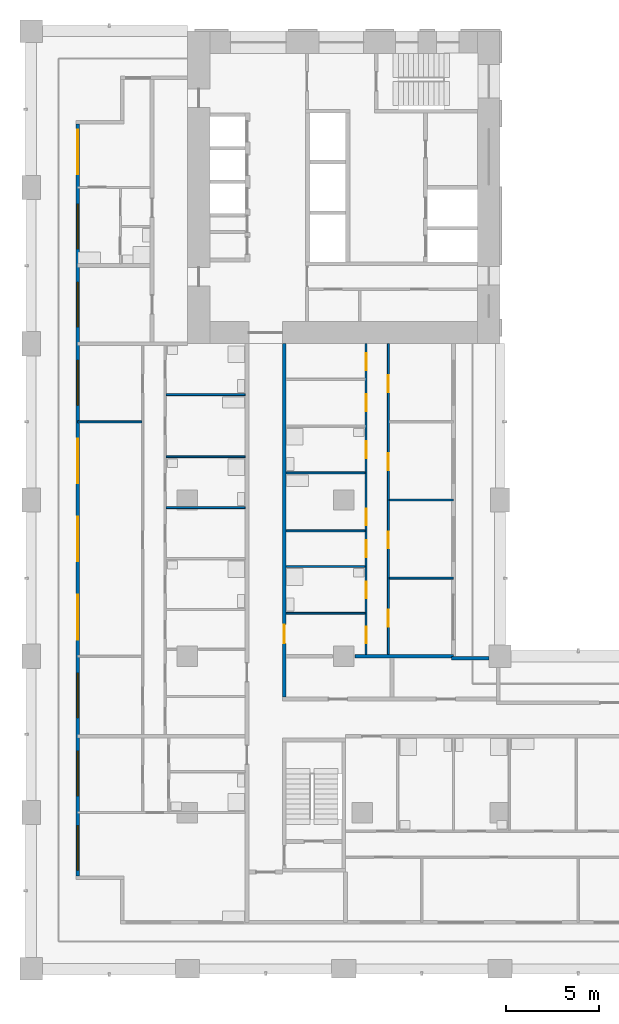
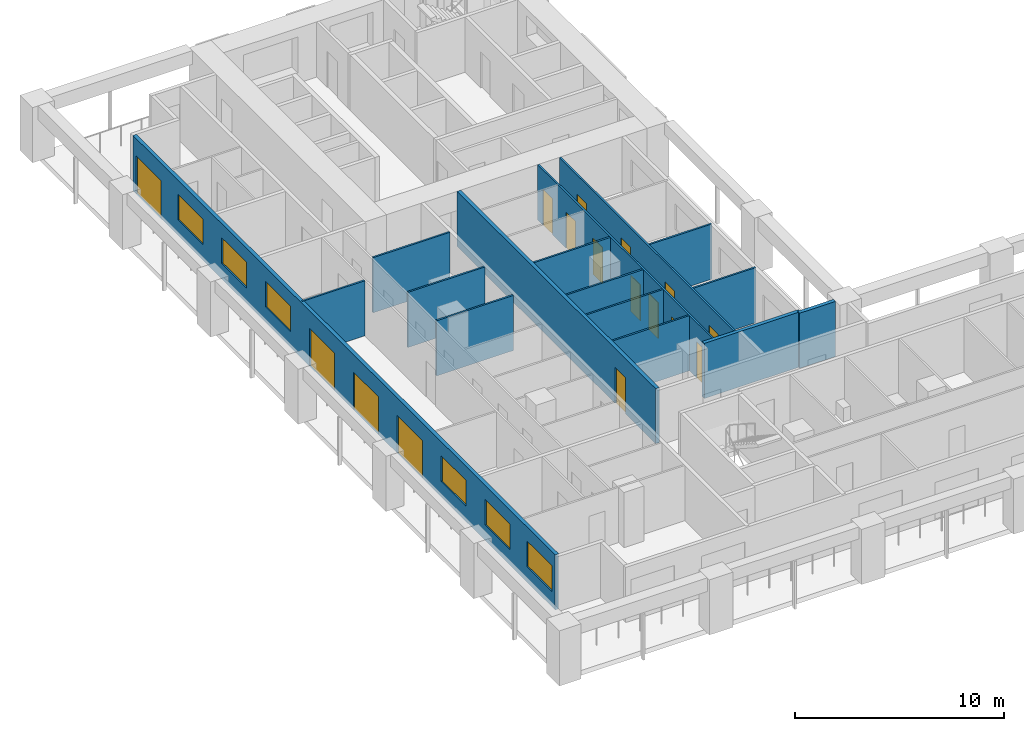
# One storey, part 4 of 16: 16 doors, 16 walls, 6 windows, 22 openings.
"""IFC4 building model written with IfcOpenShell, lengths in metres."""

import ifcopenshell
import ifcopenshell.guid

model = None  # the IFC model being written
_history = None  # IfcOwnerHistory: only IFC2X3 demands one
_inside = {}  # id of a spatial element -> (the spatial element, [elements in it])
_under = {}  # id of a project, library or spatial element -> (it, [spatial elements below it])
_declared = {}  # id of a project -> (the project, [libraries it declares])
_typed = {}  # id of a type object -> (the type object, [elements of that type])
_made_of = {}  # id of a material, layer set ... -> (it, [elements and type objects made of it])


def new_model(schema):
    """Start an empty IFC model of exactly this schema.

    Asked for "IFC4X3", IfcOpenShell would pick the latest addendum, in which some entities
    have other attributes; the version numbers below select the first issue.
    IFC2X3 requires an IfcOwnerHistory on every rooted entity: one is made here for all.
    """
    global model, _history
    if schema == "IFC4X3":
        model = ifcopenshell.file(schema_version=(4, 3, 0, 0))
    else:
        model = ifcopenshell.file(schema=schema)
    _inside.clear()
    _under.clear()
    _declared.clear()
    _typed.clear()
    _made_of.clear()
    _history = None
    if model.schema == "IFC2X3":
        org = make("IfcOrganization", Name="unknown")
        user = make(
            "IfcPersonAndOrganization",
            ThePerson=make("IfcPerson", FamilyName="unknown"),
            TheOrganization=org,
        )
        app = make(
            "IfcApplication",
            ApplicationDeveloper=org,
            Version="unknown",
            ApplicationFullName="unknown",
            ApplicationIdentifier="unknown",
        )
        _history = make(
            "IfcOwnerHistory",
            OwningUser=user,
            OwningApplication=app,
            ChangeAction="ADDED",
            CreationDate=0,
        )
    return model


def make(cls, **values):
    """One entity of the class cls with the attributes given. An attribute that is None is left unset."""
    return model.create_entity(
        cls, **{name: value for name, value in values.items() if value is not None}
    )


def rooted(cls, **values):
    """An entity with a GlobalId (a new one), such as an element, a storey or a relation."""
    return make(cls, GlobalId=ifcopenshell.guid.new(), OwnerHistory=_history, **values)


def si_unit(unit_type, name, prefix=None):
    """IfcSIUnit, for example si_unit("LENGTHUNIT", "METRE", prefix="MILLI")."""
    return make("IfcSIUnit", UnitType=unit_type, Prefix=prefix, Name=name)


def assignment(units):
    """IfcUnitAssignment: the units of a project."""
    return None if units is None else make("IfcUnitAssignment", Units=units)


def point(xyz):
    """IfcCartesianPoint."""
    return None if xyz is None else make("IfcCartesianPoint", Coordinates=xyz)


def direction(xyz):
    """IfcDirection."""
    return None if xyz is None else make("IfcDirection", DirectionRatios=xyz)


def frame(location, z_axis=None, x_axis=None):
    """IfcAxis2Placement3D, a coordinate frame: its origin and axes. An axis left out is left unset."""
    return make(
        "IfcAxis2Placement3D",
        Location=point(location),
        Axis=direction(z_axis),
        RefDirection=direction(x_axis),
    )


def frame_2d(location, x_axis=None):
    """IfcAxis2Placement2D, a coordinate frame in the plane: its origin and x axis."""
    return make(
        "IfcAxis2Placement2D", Location=point(location), RefDirection=direction(x_axis)
    )


def origin():
    """The frame at (0, 0, 0) with its axes left unset."""
    return frame((0.0, 0.0, 0.0))


def place(relative_to, where):
    """IfcLocalPlacement: puts the frame where relative to a parent placement (None: the world)."""
    return make(
        "IfcLocalPlacement", PlacementRelTo=relative_to, RelativePlacement=where
    )


def context(
    kind, dimensions, precision=None, world=None, true_north=None, identifier=None
):
    """IfcGeometricRepresentationContext, for example the 3D "Model" context."""
    return make(
        "IfcGeometricRepresentationContext",
        ContextIdentifier=identifier,
        ContextType=kind,
        CoordinateSpaceDimension=dimensions,
        Precision=precision,
        WorldCoordinateSystem=world,
        TrueNorth=true_north,
    )


def subcontext(parent, identifier, kind, view, scale=None):
    """IfcGeometricRepresentationSubContext, for example "Body" below "Model"."""
    return make(
        "IfcGeometricRepresentationSubContext",
        ContextIdentifier=identifier,
        ContextType=kind,
        ParentContext=parent,
        TargetScale=scale,
        TargetView=view,
    )


def project(units=None, contexts=None):
    """IfcProject with its units and contexts."""
    return rooted(
        "IfcProject",
        Name="project",
        RepresentationContexts=contexts,
        UnitsInContext=assignment(units),
    )


def spatial(cls, under=None, at=None, **own):
    """A site, building, storey or space (cls), placed at a placement, below another one or the project."""
    s = rooted(cls, ObjectPlacement=at, **own)
    if under is not None:
        _under.setdefault(under.id(), (under, []))[1].append(s)
    return s


def profile(cls, at=None, kind="AREA", **sizes):
    """A parametric profile (cls). Its sizes go by their IFC names, for example OverallWidth=200.0."""
    return make(cls, ProfileType=kind, Position=at, **sizes)


def rectangle(**sizes):
    """IfcRectangleProfileDef."""
    return profile("IfcRectangleProfileDef", **sizes)


def extrude(swept, where, along, depth):
    """IfcExtrudedAreaSolid: the profile swept, set in the frame where, extruded along a direction by depth."""
    return make(
        "IfcExtrudedAreaSolid",
        SweptArea=swept,
        Position=where,
        ExtrudedDirection=direction(along),
        Depth=depth,
    )


def shape(context_of_items, identifier, shape_type, items):
    """IfcShapeRepresentation: the items that make up one representation, for example the "Body"."""
    return make(
        "IfcShapeRepresentation",
        ContextOfItems=context_of_items,
        RepresentationIdentifier=identifier,
        RepresentationType=shape_type,
        Items=items,
    )


def material(Name=None, Category=None):
    """IfcMaterial."""
    return make("IfcMaterial", Name=Name, Category=Category)


def layer(
    of_material, thickness, ventilated=None, Name=None, Category=None, Priority=None
):
    """IfcMaterialLayer: one layer of a wall or slab, of a material (None: an air gap)."""
    return make(
        "IfcMaterialLayer",
        Material=of_material,
        LayerThickness=thickness,
        IsVentilated=ventilated,
        Name=Name,
        Category=Category,
        Priority=Priority,
    )


def layer_set(layers, Name=None):
    """IfcMaterialLayerSet."""
    return make("IfcMaterialLayerSet", MaterialLayers=layers, LayerSetName=Name)


def made_of(thing, what):
    """Note that an element or type object is made of a material, layer set ...; save() writes the relation."""
    if what is not None:
        _made_of.setdefault(what.id(), (what, []))[1].append(thing)
    return thing


def type_object(cls, material=None, **own):
    """A type object (cls), such as IfcWallType, which elements share."""
    return made_of(rooted(cls, **own), material)


def element(
    cls,
    number,
    at=None,
    inside=None,
    cuts=None,
    type_object=None,
    material=None,
    context=None,
    identifier="Body",
    shape_type=None,
    held_by="IfcProductDefinitionShape",
    body=None,
    shapes=None,
    **own,
):
    """One element of the class cls, such as IfcWall. Its Tag is "e" and its number.

    at: its placement. inside: the storey or other place that contains it. cuts: it is an
    opening in that element (IfcRelVoidsElement). A single representation is given by context,
    identifier, shape_type and body (its items); several are given by shapes. held_by: the class
    of the entity that holds the representations. save() writes the other relations.
    """
    e = rooted(cls, Tag="e%d" % number, ObjectPlacement=at, **own)
    if body is not None:
        shapes = [shape(context, identifier, shape_type, body)]
    if shapes is not None:
        e.Representation = make(held_by, Representations=shapes)
    if inside is not None:
        _inside.setdefault(inside.id(), (inside, []))[1].append(e)
    if cuts is not None:
        rooted(
            "IfcRelVoidsElement", RelatingBuildingElement=cuts, RelatedOpeningElement=e
        )
    if type_object is not None:
        _typed.setdefault(type_object.id(), (type_object, []))[1].append(e)
    return made_of(e, material)


def fill(opening, filler):
    """IfcRelFillsElement: the door or window that sits in an opening."""
    return rooted(
        "IfcRelFillsElement",
        RelatingOpeningElement=opening,
        RelatedBuildingElement=filler,
    )


def aggregate(whole, parts):
    """IfcRelAggregates: a whole, such as a stair, and the parts it consists of."""
    return rooted("IfcRelAggregates", RelatingObject=whole, RelatedObjects=parts)


def save(model, path):
    """Write the relations noted so far, then the file.

    IfcRelAggregates (storeys below a building ...), IfcRelContainedInSpatialStructure (elements
    in a storey), IfcRelDefinesByType, IfcRelAssociatesMaterial and IfcRelDeclares: one each for
    every whole, place, type object, material and project.
    """
    for whole, parts in _under.values():
        aggregate(whole, parts)
    for where, things in _inside.values():
        rooted(
            "IfcRelContainedInSpatialStructure",
            RelatedElements=things,
            RelatingStructure=where,
        )
    for kind, things in _typed.values():
        rooted("IfcRelDefinesByType", RelatedObjects=things, RelatingType=kind)
    for what, things in _made_of.values():
        rooted("IfcRelAssociatesMaterial", RelatedObjects=things, RelatingMaterial=what)
    for by, libraries in _declared.values():
        rooted("IfcRelDeclares", RelatingContext=by, RelatedDefinitions=libraries)
    model.write(path)


model = new_model("IFC4")

# Units and contexts
model_context = context("Model", 3, precision=1e-05, world=origin(), true_north=direction((0.0, 1.0)))
body_context = subcontext(model_context, "Body", "Model", "MODEL_VIEW")
ifc_project = project(units=[si_unit("LENGTHUNIT", "METRE"), si_unit("AREAUNIT", "SQUARE_METRE"), si_unit("VOLUMEUNIT", "CUBIC_METRE"), si_unit("PLANEANGLEUNIT", "RADIAN"), si_unit("MASSUNIT", "GRAM", prefix="KILO")], contexts=[model_context])

# Site, building, storey
site_placement = place(None, origin())
site = spatial("IfcSite", under=ifc_project, at=site_placement, CompositionType="ELEMENT")
building_placement = place(site_placement, origin())
building = spatial("IfcBuilding", under=site, at=building_placement, Name="Vermilion Gate Residences", CompositionType="ELEMENT")
storey_placement = place(building_placement, frame((0.0, 0.0, 130.199951171875)))
storey = spatial("IfcBuildingStorey", under=building, at=storey_placement, Name="L33", CompositionType="ELEMENT", Elevation=130.199951171875)

# Wall, openings, doors, windows
ifc_material_1 = material(Name="Insulated steel stud wall with terracotta rainscreen", Category="masonry")
ifc_layer_1 = layer(ifc_material_1, 0.199951171875)
ifc_layer_set_1 = layer_set([ifc_layer_1], Name="EXTERNAL WALL 200 TERRACOTTA RAINSCREEN")
wall_type_1 = type_object("IfcWallType", Name="EXTERNAL WALL 200 TERRACOTTA RAINSCREEN", PredefinedType="SOLIDWALL", material=ifc_layer_set_1)
wall_1_placement = place(storey_placement, frame((2.5, 53.800048828125, 0.0), z_axis=(0.0, 0.0, 1.0), x_axis=(0.0, -1.0, 0.0)))
wall_1 = element("IfcWall", 1, at=wall_1_placement, inside=storey, type_object=wall_type_1, Name="External wall", PredefinedType="SOLIDWALL", context=body_context, shape_type="SweptSolid", body=[
    extrude(rectangle(XDim=40.400146484375, YDim=0.199951171875, at=frame_2d((20.2001953125, 0.0))), origin(), (0.0, 0.0, 1.0), 3.219970703125),
])
opening_1_placement = place(wall_1_placement, frame((37.699951171875, 0.0, 0.89990234375)))
opening_1 = element("IfcOpeningElement", 2, at=opening_1_placement, cuts=wall_1, Name="Opening WE33002", PredefinedType="OPENING", context=body_context, shape_type="SweptSolid", body=[
    extrude(rectangle(XDim=2.39990234375, YDim=1.5, at=frame_2d((1.199951171875, 0.75))), frame((0.0, 0.10986328125, 0.0), z_axis=(0.0, -1.0, 0.0), x_axis=(1.0, 0.0, 0.0)), (0.0, 0.0, 1.0), 0.219970703125),
])
opening_2_placement = place(wall_1_placement, frame((33.699951171875, 0.0, 0.89990234375)))
opening_2 = element("IfcOpeningElement", 3, at=opening_2_placement, cuts=wall_1, Name="Opening WE33003", PredefinedType="OPENING", context=body_context, shape_type="SweptSolid", body=[
    extrude(rectangle(XDim=2.39990234375, YDim=1.5, at=frame_2d((1.199951171875, 0.75))), frame((0.0, 0.10986328125, 0.0), z_axis=(0.0, -1.0, 0.0), x_axis=(1.0, 0.0, 0.0)), (0.0, 0.0, 1.0), 0.219970703125),
])
opening_3_placement = place(wall_1_placement, frame((29.5, 0.0, 0.89990234375)))
opening_3 = element("IfcOpeningElement", 4, at=opening_3_placement, cuts=wall_1, Name="Opening WE33004", PredefinedType="OPENING", context=body_context, shape_type="SweptSolid", body=[
    extrude(rectangle(XDim=2.39990234375, YDim=1.5, at=frame_2d((1.199951171875, 0.75))), frame((0.0, 0.10986328125, 0.0), z_axis=(0.0, -1.0, 0.0), x_axis=(1.0, 0.0, 0.0)), (0.0, 0.0, 1.0), 0.219970703125),
])
opening_4_placement = place(wall_1_placement, frame((25.300048828125, 0.0, 0.0)))
opening_4 = element("IfcOpeningElement", 5, at=opening_4_placement, cuts=wall_1, Name="Opening DE33005", PredefinedType="OPENING", context=body_context, shape_type="SweptSolid", body=[
    extrude(rectangle(XDim=2.39990234375, YDim=2.199951171875, at=frame_2d((1.199951171875, 1.10009765625))), frame((0.0, 0.10986328125, 0.0), z_axis=(0.0, -1.0, 0.0), x_axis=(1.0, 0.0, 0.0)), (0.0, 0.0, 1.0), 0.219970703125),
])
opening_5_placement = place(wall_1_placement, frame((21.10009765625, 0.0, 0.0)))
opening_5 = element("IfcOpeningElement", 6, at=opening_5_placement, cuts=wall_1, Name="Opening DE33006", PredefinedType="OPENING", context=body_context, shape_type="SweptSolid", body=[
    extrude(rectangle(XDim=2.39990234375, YDim=2.199951171875, at=frame_2d((1.199951171875, 1.10009765625))), frame((0.0, 0.10986328125, 0.0), z_axis=(0.0, -1.0, 0.0), x_axis=(1.0, 0.0, 0.0)), (0.0, 0.0, 1.0), 0.219970703125),
])
opening_6_placement = place(wall_1_placement, frame((16.89990234375, 0.0, 0.0)))
opening_6 = element("IfcOpeningElement", 7, at=opening_6_placement, cuts=wall_1, Name="Opening DE33007", PredefinedType="OPENING", context=body_context, shape_type="SweptSolid", body=[
    extrude(rectangle(XDim=2.39990234375, YDim=2.199951171875, at=frame_2d((1.199951171875, 1.10009765625))), frame((0.0, 0.10986328125, 0.0), z_axis=(0.0, -1.0, 0.0), x_axis=(1.0, 0.0, 0.0)), (0.0, 0.0, 1.0), 0.219970703125),
])
opening_7_placement = place(wall_1_placement, frame((12.699951171875, 0.0, 0.89990234375)))
opening_7 = element("IfcOpeningElement", 8, at=opening_7_placement, cuts=wall_1, Name="Opening WE33008", PredefinedType="OPENING", context=body_context, shape_type="SweptSolid", body=[
    extrude(rectangle(XDim=2.39990234375, YDim=1.5, at=frame_2d((1.199951171875, 0.75))), frame((0.0, 0.10986328125, 0.0), z_axis=(0.0, -1.0, 0.0), x_axis=(1.0, 0.0, 0.0)), (0.0, 0.0, 1.0), 0.219970703125),
])
opening_8_placement = place(wall_1_placement, frame((8.5, 0.0, 0.89990234375)))
opening_8 = element("IfcOpeningElement", 9, at=opening_8_placement, cuts=wall_1, Name="Opening WE33009", PredefinedType="OPENING", context=body_context, shape_type="SweptSolid", body=[
    extrude(rectangle(XDim=2.39990234375, YDim=1.5, at=frame_2d((1.199951171875, 0.75))), frame((0.0, 0.10986328125, 0.0), z_axis=(0.0, -1.0, 0.0), x_axis=(1.0, 0.0, 0.0)), (0.0, 0.0, 1.0), 0.219970703125),
])
opening_9_placement = place(wall_1_placement, frame((4.300048828125, 0.0, 0.89990234375)))
opening_9 = element("IfcOpeningElement", 10, at=opening_9_placement, cuts=wall_1, Name="Opening WE33010", PredefinedType="OPENING", context=body_context, shape_type="SweptSolid", body=[
    extrude(rectangle(XDim=2.39990234375, YDim=1.5, at=frame_2d((1.199951171875, 0.75))), frame((0.0, 0.10986328125, 0.0), z_axis=(0.0, -1.0, 0.0), x_axis=(1.0, 0.0, 0.0)), (0.0, 0.0, 1.0), 0.219970703125),
])
opening_10_placement = place(wall_1_placement, frame((0.300048828125, 0.0, 0.0)))
opening_10 = element("IfcOpeningElement", 11, at=opening_10_placement, cuts=wall_1, Name="Opening DE33011", PredefinedType="OPENING", context=body_context, shape_type="SweptSolid", body=[
    extrude(rectangle(XDim=2.39990234375, YDim=2.199951171875, at=frame_2d((1.199951171875, 1.10009765625))), frame((0.0, 0.10986328125, 0.0), z_axis=(0.0, -1.0, 0.0), x_axis=(1.0, 0.0, 0.0)), (0.0, 0.0, 1.0), 0.219970703125),
])
ifc_material_2 = material(Name="Aluminium and clear glass", Category="aluminium")
door_type_1 = type_object("IfcDoorType", Name="SLIDING GLAZED DOOR 2400 X 2200", OperationType="DOUBLE_DOOR_SLIDING", PredefinedType="DOOR", material=ifc_material_2)
door_1_placement = place(opening_4_placement, origin())
door_1 = element("IfcDoor", 12, at=door_1_placement, inside=storey, type_object=door_type_1, Name="Loggia sliding door", OperationType="DOUBLE_DOOR_SLIDING", OverallHeight=2.199951171875, OverallWidth=2.39990234375, PredefinedType="DOOR", context=body_context, shape_type="SweptSolid", body=[
    extrude(rectangle(XDim=2.39990234375, YDim=2.199951171875, at=frame_2d((1.199951171875, 1.10009765625))), frame((0.0, 0.02490234375, 0.0), z_axis=(0.0, -1.0, 0.0), x_axis=(1.0, 0.0, 0.0)), (0.0, 0.0, 1.0), 0.050048828125),
])
fill(opening_4, door_1)
door_2_placement = place(opening_5_placement, origin())
door_2 = element("IfcDoor", 13, at=door_2_placement, inside=storey, type_object=door_type_1, Name="Loggia sliding door", OperationType="DOUBLE_DOOR_SLIDING", OverallHeight=2.199951171875, OverallWidth=2.39990234375, PredefinedType="DOOR", context=body_context, shape_type="SweptSolid", body=[
    extrude(rectangle(XDim=2.39990234375, YDim=2.199951171875, at=frame_2d((1.199951171875, 1.10009765625))), frame((0.0, 0.02490234375, 0.0), z_axis=(0.0, -1.0, 0.0), x_axis=(1.0, 0.0, 0.0)), (0.0, 0.0, 1.0), 0.050048828125),
])
fill(opening_5, door_2)
door_3_placement = place(opening_6_placement, origin())
door_3 = element("IfcDoor", 14, at=door_3_placement, inside=storey, type_object=door_type_1, Name="Loggia sliding door", OperationType="DOUBLE_DOOR_SLIDING", OverallHeight=2.199951171875, OverallWidth=2.39990234375, PredefinedType="DOOR", context=body_context, shape_type="SweptSolid", body=[
    extrude(rectangle(XDim=2.39990234375, YDim=2.199951171875, at=frame_2d((1.199951171875, 1.10009765625))), frame((0.0, 0.02490234375, 0.0), z_axis=(0.0, -1.0, 0.0), x_axis=(1.0, 0.0, 0.0)), (0.0, 0.0, 1.0), 0.050048828125),
])
fill(opening_6, door_3)
door_4_placement = place(opening_10_placement, origin())
door_4 = element("IfcDoor", 15, at=door_4_placement, inside=storey, type_object=door_type_1, Name="Loggia sliding door", OperationType="DOUBLE_DOOR_SLIDING", OverallHeight=2.199951171875, OverallWidth=2.39990234375, PredefinedType="DOOR", context=body_context, shape_type="SweptSolid", body=[
    extrude(rectangle(XDim=2.39990234375, YDim=2.199951171875, at=frame_2d((1.199951171875, 1.10009765625))), frame((0.0, 0.02490234375, 0.0), z_axis=(0.0, -1.0, 0.0), x_axis=(1.0, 0.0, 0.0)), (0.0, 0.0, 1.0), 0.050048828125),
])
fill(opening_10, door_4)
ifc_material_3 = material(Name="Aluminium and clear glass", Category="aluminium")
window_type = type_object("IfcWindowType", Name="WINDOW 2400 X 1500", PartitioningType="SINGLE_PANEL", PredefinedType="WINDOW", material=ifc_material_3)
window_1_placement = place(opening_1_placement, origin())
window_1 = element("IfcWindow", 16, at=window_1_placement, inside=storey, type_object=window_type, Name="Window", OverallHeight=1.5, OverallWidth=2.39990234375, PartitioningType="SINGLE_PANEL", PredefinedType="WINDOW", context=body_context, shape_type="SweptSolid", body=[
    extrude(rectangle(XDim=2.39990234375, YDim=1.5, at=frame_2d((1.199951171875, 0.75))), frame((0.0, 0.030029296875, 0.0), z_axis=(0.0, -1.0, 0.0), x_axis=(1.0, 0.0, 0.0)), (0.0, 0.0, 1.0), 0.06005859375),
])
fill(opening_1, window_1)
window_2_placement = place(opening_2_placement, origin())
window_2 = element("IfcWindow", 17, at=window_2_placement, inside=storey, type_object=window_type, Name="Window", OverallHeight=1.5, OverallWidth=2.39990234375, PartitioningType="SINGLE_PANEL", PredefinedType="WINDOW", context=body_context, shape_type="SweptSolid", body=[
    extrude(rectangle(XDim=2.39990234375, YDim=1.5, at=frame_2d((1.199951171875, 0.75))), frame((0.0, 0.030029296875, 0.0), z_axis=(0.0, -1.0, 0.0), x_axis=(1.0, 0.0, 0.0)), (0.0, 0.0, 1.0), 0.06005859375),
])
fill(opening_2, window_2)
window_3_placement = place(opening_3_placement, origin())
window_3 = element("IfcWindow", 18, at=window_3_placement, inside=storey, type_object=window_type, Name="Window", OverallHeight=1.5, OverallWidth=2.39990234375, PartitioningType="SINGLE_PANEL", PredefinedType="WINDOW", context=body_context, shape_type="SweptSolid", body=[
    extrude(rectangle(XDim=2.39990234375, YDim=1.5, at=frame_2d((1.199951171875, 0.75))), frame((0.0, 0.030029296875, 0.0), z_axis=(0.0, -1.0, 0.0), x_axis=(1.0, 0.0, 0.0)), (0.0, 0.0, 1.0), 0.06005859375),
])
fill(opening_3, window_3)
window_4_placement = place(opening_7_placement, origin())
window_4 = element("IfcWindow", 19, at=window_4_placement, inside=storey, type_object=window_type, Name="Window", OverallHeight=1.5, OverallWidth=2.39990234375, PartitioningType="SINGLE_PANEL", PredefinedType="WINDOW", context=body_context, shape_type="SweptSolid", body=[
    extrude(rectangle(XDim=2.39990234375, YDim=1.5, at=frame_2d((1.199951171875, 0.75))), frame((0.0, 0.030029296875, 0.0), z_axis=(0.0, -1.0, 0.0), x_axis=(1.0, 0.0, 0.0)), (0.0, 0.0, 1.0), 0.06005859375),
])
fill(opening_7, window_4)
window_5_placement = place(opening_8_placement, origin())
window_5 = element("IfcWindow", 20, at=window_5_placement, inside=storey, type_object=window_type, Name="Window", OverallHeight=1.5, OverallWidth=2.39990234375, PartitioningType="SINGLE_PANEL", PredefinedType="WINDOW", context=body_context, shape_type="SweptSolid", body=[
    extrude(rectangle(XDim=2.39990234375, YDim=1.5, at=frame_2d((1.199951171875, 0.75))), frame((0.0, 0.030029296875, 0.0), z_axis=(0.0, -1.0, 0.0), x_axis=(1.0, 0.0, 0.0)), (0.0, 0.0, 1.0), 0.06005859375),
])
fill(opening_8, window_5)
window_6_placement = place(opening_9_placement, origin())
window_6 = element("IfcWindow", 21, at=window_6_placement, inside=storey, type_object=window_type, Name="Window", OverallHeight=1.5, OverallWidth=2.39990234375, PartitioningType="SINGLE_PANEL", PredefinedType="WINDOW", context=body_context, shape_type="SweptSolid", body=[
    extrude(rectangle(XDim=2.39990234375, YDim=1.5, at=frame_2d((1.199951171875, 0.75))), frame((0.0, 0.030029296875, 0.0), z_axis=(0.0, -1.0, 0.0), x_axis=(1.0, 0.0, 0.0)), (0.0, 0.0, 1.0), 0.06005859375),
])
fill(opening_9, window_6)

# Walls
wall_2_placement = place(storey_placement, frame((24.60009765625, 25.10009765625, 0.0), z_axis=(0.0, 0.0, 1.0), x_axis=(-1.0, 0.0, 0.0)))
element("IfcWall", 22, at=wall_2_placement, inside=storey, type_object=wall_type_1, Name="External wall", PredefinedType="SOLIDWALL", context=body_context, shape_type="SweptSolid", body=[
    extrude(rectangle(XDim=2.0, YDim=0.199951171875, at=frame_2d((1.0, 0.0))), origin(), (0.0, 0.0, 1.0), 3.219970703125),
])
ifc_material_4 = material(Name="Plasterboard on steel studs", Category="steel")
ifc_layer_2 = layer(ifc_material_4, 0.10009765625)
ifc_layer_set_2 = layer_set([ifc_layer_2], Name="PARTITION 100")
wall_type_2 = type_object("IfcWallType", Name="PARTITION 100", PredefinedType="PARTITIONING", material=ifc_layer_set_2)
wall_3_placement = place(storey_placement, frame((13.699951171875, 27.513916015625, 0.0), z_axis=(0.0, 0.0, 1.0), x_axis=(1.0, 0.0, 0.0)))
element("IfcWall", 23, at=wall_3_placement, inside=storey, type_object=wall_type_2, Name="Partition", PredefinedType="PARTITIONING", context=body_context, shape_type="SweptSolid", body=[
    extrude(rectangle(XDim=4.25, YDim=0.10009765625, at=frame_2d((2.125, 0.0))), origin(), (0.0, 0.0, 1.0), 3.219970703125),
])
wall_4_placement = place(storey_placement, frame((19.25, 29.39990234375, 0.0), z_axis=(0.0, 0.0, 1.0), x_axis=(1.0, 0.0, 0.0)))
element("IfcWall", 24, at=wall_4_placement, inside=storey, type_object=wall_type_2, Name="Partition", PredefinedType="PARTITIONING", context=body_context, shape_type="SweptSolid", body=[
    extrude(rectangle(XDim=3.449951171875, YDim=0.10009765625, at=frame_2d((1.72509765625, 0.0))), origin(), (0.0, 0.0, 1.0), 3.219970703125),
])
for number, where, z_axis, x_axis, name in (
    (25, (13.699951171875, 30.029052734375, 0.0), (0.0, 0.0, 1.0), (1.0, 0.0, 0.0), "Partition"),
    (26, (13.699951171875, 31.943115234375, 0.0), (0.0, 0.0, 1.0), (1.0, 0.0, 0.0), "Partition"),
    (27, (7.25, 33.18798828125, 0.0), (0.0, 0.0, 1.0), (1.0, 0.0, 0.0), "Partition"),
):
    element("IfcWall", number, at=place(storey_placement, frame(where, z_axis=z_axis, x_axis=x_axis)), inside=storey, type_object=wall_type_2, Name=name, PredefinedType="PARTITIONING", context=body_context, shape_type="SweptSolid", body=[
        extrude(rectangle(XDim=4.25, YDim=0.10009765625, at=frame_2d((2.125, 0.0))), origin(), (0.0, 0.0, 1.0), 3.219970703125),
    ])
wall_5_placement = place(storey_placement, frame((19.25, 33.60009765625, 0.0), z_axis=(0.0, 0.0, 1.0), x_axis=(1.0, 0.0, 0.0)))
element("IfcWall", 28, at=wall_5_placement, inside=storey, type_object=wall_type_2, Name="Partition", PredefinedType="PARTITIONING", context=body_context, shape_type="SweptSolid", body=[
    extrude(rectangle(XDim=3.449951171875, YDim=0.10009765625, at=frame_2d((1.72509765625, 0.0))), origin(), (0.0, 0.0, 1.0), 3.219970703125),
])
for number, where, z_axis, x_axis, name in (
    (29, (13.699951171875, 35.056884765625, 0.0), (0.0, 0.0, 1.0), (1.0, 0.0, 0.0), "Partition"),
    (30, (7.25, 35.925048828125, 0.0), (0.0, 0.0, 1.0), (1.0, 0.0, 0.0), "Partition"),
):
    element("IfcWall", number, at=place(storey_placement, frame(where, z_axis=z_axis, x_axis=x_axis)), inside=storey, type_object=wall_type_2, Name=name, PredefinedType="PARTITIONING", context=body_context, shape_type="SweptSolid", body=[
        extrude(rectangle(XDim=4.25, YDim=0.10009765625, at=frame_2d((2.125, 0.0))), origin(), (0.0, 0.0, 1.0), 3.219970703125),
    ])
wall_6_placement = place(storey_placement, frame((2.5, 37.800048828125, 0.0), z_axis=(0.0, 0.0, 1.0), x_axis=(1.0, 0.0, 0.0)))
element("IfcWall", 31, at=wall_6_placement, inside=storey, type_object=wall_type_2, Name="Partition", PredefinedType="PARTITIONING", context=body_context, shape_type="SweptSolid", body=[
    extrude(rectangle(XDim=3.449951171875, YDim=0.10009765625, at=frame_2d((1.72509765625, 0.0))), origin(), (0.0, 0.0, 1.0), 3.219970703125),
])
wall_7_placement = place(storey_placement, frame((7.25, 39.262939453125, 0.0), z_axis=(0.0, 0.0, 1.0), x_axis=(1.0, 0.0, 0.0)))
element("IfcWall", 32, at=wall_7_placement, inside=storey, type_object=wall_type_2, Name="Partition", PredefinedType="PARTITIONING", context=body_context, shape_type="SweptSolid", body=[
    extrude(rectangle(XDim=4.25, YDim=0.10009765625, at=frame_2d((2.125, 0.0))), origin(), (0.0, 0.0, 1.0), 3.219970703125),
])

# Wall, openings, doors
wall_8_placement = place(storey_placement, frame((18.0, 25.300048828125, 0.0), z_axis=(0.0, 0.0, 1.0), x_axis=(0.0, 1.0, 0.0)))
wall_8 = element("IfcWall", 33, at=wall_8_placement, inside=storey, type_object=wall_type_2, Name="Partition", PredefinedType="PARTITIONING", context=body_context, shape_type="SweptSolid", body=[
    extrude(rectangle(XDim=16.699951171875, YDim=0.10009765625, at=frame_2d((8.35009765625, 0.0))), origin(), (0.0, 0.0, 1.0), 3.219970703125),
])
opening_11_placement = place(wall_8_placement, frame((0.60009765625, 0.0, 0.0)))
opening_11 = element("IfcOpeningElement", 34, at=opening_11_placement, cuts=wall_8, Name="Opening DA32039", PredefinedType="OPENING", context=body_context, shape_type="SweptSolid", body=[
    extrude(rectangle(XDim=0.89990234375, YDim=2.10009765625, at=frame_2d((0.449951171875, 1.050048828125))), frame((0.0, 0.06005859375, 0.0), z_axis=(0.0, -1.0, 0.0), x_axis=(1.0, 0.0, 0.0)), (0.0, 0.0, 1.0), 0.1201171875),
])
opening_12_placement = place(wall_8_placement, frame((3.013916015625, 0.0, 0.0)))
opening_12 = element("IfcOpeningElement", 35, at=opening_12_placement, cuts=wall_8, Name="Opening DA32040", PredefinedType="OPENING", context=body_context, shape_type="SweptSolid", body=[
    extrude(rectangle(XDim=0.89990234375, YDim=2.10009765625, at=frame_2d((0.449951171875, 1.050048828125))), frame((0.0, 0.06005859375, 0.0), z_axis=(0.0, -1.0, 0.0), x_axis=(1.0, 0.0, 0.0)), (0.0, 0.0, 1.0), 0.1201171875),
])
opening_13_placement = place(wall_8_placement, frame((5.22900390625, 0.0, 0.0)))
opening_13 = element("IfcOpeningElement", 36, at=opening_13_placement, cuts=wall_8, Name="Opening DA32041", PredefinedType="OPENING", context=body_context, shape_type="SweptSolid", body=[
    extrude(rectangle(XDim=0.89990234375, YDim=2.10009765625, at=frame_2d((0.449951171875, 1.050048828125))), frame((0.0, 0.06005859375, 0.0), z_axis=(0.0, -1.0, 0.0), x_axis=(1.0, 0.0, 0.0)), (0.0, 0.0, 1.0), 0.1201171875),
])
opening_14_placement = place(wall_8_placement, frame((6.943115234375, 0.0, 0.0)))
opening_14 = element("IfcOpeningElement", 37, at=opening_14_placement, cuts=wall_8, Name="Opening DA32042", PredefinedType="OPENING", context=body_context, shape_type="SweptSolid", body=[
    extrude(rectangle(XDim=0.89990234375, YDim=2.10009765625, at=frame_2d((0.449951171875, 1.050048828125))), frame((0.0, 0.06005859375, 0.0), z_axis=(0.0, -1.0, 0.0), x_axis=(1.0, 0.0, 0.0)), (0.0, 0.0, 1.0), 0.1201171875),
])
opening_15_placement = place(wall_8_placement, frame((10.556884765625, 0.0, 0.0)))
opening_15 = element("IfcOpeningElement", 38, at=opening_15_placement, cuts=wall_8, Name="Opening DA32043", PredefinedType="OPENING", context=body_context, shape_type="SweptSolid", body=[
    extrude(rectangle(XDim=0.89990234375, YDim=2.10009765625, at=frame_2d((0.449951171875, 1.050048828125))), frame((0.0, 0.06005859375, 0.0), z_axis=(0.0, -1.0, 0.0), x_axis=(1.0, 0.0, 0.0)), (0.0, 0.0, 1.0), 0.1201171875),
])
opening_16_placement = place(wall_8_placement, frame((13.072021484375, 0.0, 0.0)))
opening_16 = element("IfcOpeningElement", 39, at=opening_16_placement, cuts=wall_8, Name="Opening DA32044", PredefinedType="OPENING", context=body_context, shape_type="SweptSolid", body=[
    extrude(rectangle(XDim=0.89990234375, YDim=2.10009765625, at=frame_2d((0.449951171875, 1.050048828125))), frame((0.0, 0.06005859375, 0.0), z_axis=(0.0, -1.0, 0.0), x_axis=(1.0, 0.0, 0.0)), (0.0, 0.0, 1.0), 0.1201171875),
])
opening_17_placement = place(wall_8_placement, frame((15.285888671875, 0.0, 0.0)))
opening_17 = element("IfcOpeningElement", 40, at=opening_17_placement, cuts=wall_8, Name="Opening DA32045", PredefinedType="OPENING", context=body_context, shape_type="SweptSolid", body=[
    extrude(rectangle(XDim=0.89990234375, YDim=2.10009765625, at=frame_2d((0.449951171875, 1.050048828125))), frame((0.0, 0.06005859375, 0.0), z_axis=(0.0, -1.0, 0.0), x_axis=(1.0, 0.0, 0.0)), (0.0, 0.0, 1.0), 0.1201171875),
])
ifc_material_5 = material(Name="Timber", Category="wood")
door_type_2 = type_object("IfcDoorType", Name="INTERIOR DOOR 900 X 2100", OperationType="SINGLE_SWING_LEFT", PredefinedType="DOOR", material=ifc_material_5)
door_5_placement = place(opening_11_placement, origin())
door_5 = element("IfcDoor", 41, at=door_5_placement, inside=storey, type_object=door_type_2, Name="Interior door", OperationType="SINGLE_SWING_LEFT", OverallHeight=2.10009765625, OverallWidth=0.89990234375, PredefinedType="DOOR", context=body_context, shape_type="SweptSolid", body=[
    extrude(rectangle(XDim=0.89990234375, YDim=2.10009765625, at=frame_2d((0.449951171875, 1.050048828125))), frame((0.0, 0.02490234375, 0.0), z_axis=(0.0, -1.0, 0.0), x_axis=(1.0, 0.0, 0.0)), (0.0, 0.0, 1.0), 0.050048828125),
])
fill(opening_11, door_5)
door_6_placement = place(opening_12_placement, origin())
door_6 = element("IfcDoor", 42, at=door_6_placement, inside=storey, type_object=door_type_2, Name="Interior door", OperationType="SINGLE_SWING_RIGHT", OverallHeight=2.10009765625, OverallWidth=0.89990234375, PredefinedType="DOOR", context=body_context, shape_type="SweptSolid", body=[
    extrude(rectangle(XDim=0.89990234375, YDim=2.10009765625, at=frame_2d((0.449951171875, 1.050048828125))), frame((0.0, 0.02490234375, 0.0), z_axis=(0.0, -1.0, 0.0), x_axis=(1.0, 0.0, 0.0)), (0.0, 0.0, 1.0), 0.050048828125),
])
fill(opening_12, door_6)
door_7_placement = place(opening_13_placement, origin())
door_7 = element("IfcDoor", 43, at=door_7_placement, inside=storey, type_object=door_type_2, Name="Interior door", OperationType="SINGLE_SWING_LEFT", OverallHeight=2.10009765625, OverallWidth=0.89990234375, PredefinedType="DOOR", context=body_context, shape_type="SweptSolid", body=[
    extrude(rectangle(XDim=0.89990234375, YDim=2.10009765625, at=frame_2d((0.449951171875, 1.050048828125))), frame((0.0, 0.02490234375, 0.0), z_axis=(0.0, -1.0, 0.0), x_axis=(1.0, 0.0, 0.0)), (0.0, 0.0, 1.0), 0.050048828125),
])
fill(opening_13, door_7)
door_8_placement = place(opening_14_placement, origin())
door_8 = element("IfcDoor", 44, at=door_8_placement, inside=storey, type_object=door_type_2, Name="Interior door", OperationType="SINGLE_SWING_LEFT", OverallHeight=2.10009765625, OverallWidth=0.89990234375, PredefinedType="DOOR", context=body_context, shape_type="SweptSolid", body=[
    extrude(rectangle(XDim=0.89990234375, YDim=2.10009765625, at=frame_2d((0.449951171875, 1.050048828125))), frame((0.0, 0.02490234375, 0.0), z_axis=(0.0, -1.0, 0.0), x_axis=(1.0, 0.0, 0.0)), (0.0, 0.0, 1.0), 0.050048828125),
])
fill(opening_14, door_8)
door_9_placement = place(opening_15_placement, origin())
door_9 = element("IfcDoor", 45, at=door_9_placement, inside=storey, type_object=door_type_2, Name="Interior door", OperationType="SINGLE_SWING_RIGHT", OverallHeight=2.10009765625, OverallWidth=0.89990234375, PredefinedType="DOOR", context=body_context, shape_type="SweptSolid", body=[
    extrude(rectangle(XDim=0.89990234375, YDim=2.10009765625, at=frame_2d((0.449951171875, 1.050048828125))), frame((0.0, 0.02490234375, 0.0), z_axis=(0.0, -1.0, 0.0), x_axis=(1.0, 0.0, 0.0)), (0.0, 0.0, 1.0), 0.050048828125),
])
fill(opening_15, door_9)
door_10_placement = place(opening_16_placement, origin())
door_10 = element("IfcDoor", 46, at=door_10_placement, inside=storey, type_object=door_type_2, Name="Interior door", OperationType="SINGLE_SWING_LEFT", OverallHeight=2.10009765625, OverallWidth=0.89990234375, PredefinedType="DOOR", context=body_context, shape_type="SweptSolid", body=[
    extrude(rectangle(XDim=0.89990234375, YDim=2.10009765625, at=frame_2d((0.449951171875, 1.050048828125))), frame((0.0, 0.02490234375, 0.0), z_axis=(0.0, -1.0, 0.0), x_axis=(1.0, 0.0, 0.0)), (0.0, 0.0, 1.0), 0.050048828125),
])
fill(opening_16, door_10)
door_11_placement = place(opening_17_placement, origin())
door_11 = element("IfcDoor", 47, at=door_11_placement, inside=storey, type_object=door_type_2, Name="Interior door", OperationType="SINGLE_SWING_LEFT", OverallHeight=2.10009765625, OverallWidth=0.89990234375, PredefinedType="DOOR", context=body_context, shape_type="SweptSolid", body=[
    extrude(rectangle(XDim=0.89990234375, YDim=2.10009765625, at=frame_2d((0.449951171875, 1.050048828125))), frame((0.0, 0.02490234375, 0.0), z_axis=(0.0, -1.0, 0.0), x_axis=(1.0, 0.0, 0.0)), (0.0, 0.0, 1.0), 0.050048828125),
])
fill(opening_17, door_11)

wall_9_placement = place(storey_placement, frame((19.199951171875, 25.300048828125, 0.0), z_axis=(0.0, 0.0, 1.0), x_axis=(0.0, 1.0, 0.0)))
wall_9 = element("IfcWall", 48, at=wall_9_placement, inside=storey, type_object=wall_type_2, Name="Partition", PredefinedType="PARTITIONING", context=body_context, shape_type="SweptSolid", body=[
    extrude(rectangle(XDim=16.699951171875, YDim=0.10009765625, at=frame_2d((8.35009765625, 0.0))), origin(), (0.0, 0.0, 1.0), 3.219970703125),
])
opening_18_placement = place(wall_9_placement, frame((1.5, 0.0, 0.0)))
opening_18 = element("IfcOpeningElement", 49, at=opening_18_placement, cuts=wall_9, Name="Opening DA32046", PredefinedType="OPENING", context=body_context, shape_type="SweptSolid", body=[
    extrude(rectangle(XDim=0.89990234375, YDim=2.10009765625, at=frame_2d((0.449951171875, 1.050048828125))), frame((0.0, 0.06005859375, 0.0), z_axis=(0.0, -1.0, 0.0), x_axis=(1.0, 0.0, 0.0)), (0.0, 0.0, 1.0), 0.1201171875),
])
opening_19_placement = place(wall_9_placement, frame((5.699951171875, 0.0, 0.0)))
opening_19 = element("IfcOpeningElement", 50, at=opening_19_placement, cuts=wall_9, Name="Opening DA32047", PredefinedType="OPENING", context=body_context, shape_type="SweptSolid", body=[
    extrude(rectangle(XDim=0.89990234375, YDim=2.10009765625, at=frame_2d((0.449951171875, 1.050048828125))), frame((0.0, 0.06005859375, 0.0), z_axis=(0.0, -1.0, 0.0), x_axis=(1.0, 0.0, 0.0)), (0.0, 0.0, 1.0), 0.1201171875),
])
opening_20_placement = place(wall_9_placement, frame((9.89990234375, 0.0, 0.0)))
opening_20 = element("IfcOpeningElement", 51, at=opening_20_placement, cuts=wall_9, Name="Opening DA32048", PredefinedType="OPENING", context=body_context, shape_type="SweptSolid", body=[
    extrude(rectangle(XDim=0.89990234375, YDim=2.10009765625, at=frame_2d((0.449951171875, 1.050048828125))), frame((0.0, 0.06005859375, 0.0), z_axis=(0.0, -1.0, 0.0), x_axis=(1.0, 0.0, 0.0)), (0.0, 0.0, 1.0), 0.1201171875),
])
opening_21_placement = place(wall_9_placement, frame((14.10009765625, 0.0, 0.0)))
opening_21 = element("IfcOpeningElement", 52, at=opening_21_placement, cuts=wall_9, Name="Opening DA32049", PredefinedType="OPENING", context=body_context, shape_type="SweptSolid", body=[
    extrude(rectangle(XDim=0.89990234375, YDim=2.10009765625, at=frame_2d((0.449951171875, 1.050048828125))), frame((0.0, 0.06005859375, 0.0), z_axis=(0.0, -1.0, 0.0), x_axis=(1.0, 0.0, 0.0)), (0.0, 0.0, 1.0), 0.1201171875),
])
door_12_placement = place(opening_18_placement, frame((0.89990234375, 0.0, 0.0), z_axis=(0.0, 0.0, 1.0), x_axis=(-1.0, 0.0, 0.0)))
door_12 = element("IfcDoor", 53, at=door_12_placement, inside=storey, type_object=door_type_2, Name="Interior door", OperationType="SINGLE_SWING_RIGHT", OverallHeight=2.10009765625, OverallWidth=0.89990234375, PredefinedType="DOOR", context=body_context, shape_type="SweptSolid", body=[
    extrude(rectangle(XDim=0.89990234375, YDim=2.10009765625, at=frame_2d((0.449951171875, 1.050048828125))), frame((0.0, 0.02490234375, 0.0), z_axis=(0.0, -1.0, 0.0), x_axis=(1.0, 0.0, 0.0)), (0.0, 0.0, 1.0), 0.050048828125),
])
fill(opening_18, door_12)
door_13_placement = place(opening_19_placement, frame((0.89990234375, 0.0, 0.0), z_axis=(0.0, 0.0, 1.0), x_axis=(-1.0, 0.0, 0.0)))
door_13 = element("IfcDoor", 54, at=door_13_placement, inside=storey, type_object=door_type_2, Name="Interior door", OperationType="SINGLE_SWING_RIGHT", OverallHeight=2.10009765625, OverallWidth=0.89990234375, PredefinedType="DOOR", context=body_context, shape_type="SweptSolid", body=[
    extrude(rectangle(XDim=0.89990234375, YDim=2.10009765625, at=frame_2d((0.449951171875, 1.050048828125))), frame((0.0, 0.02490234375, 0.0), z_axis=(0.0, -1.0, 0.0), x_axis=(1.0, 0.0, 0.0)), (0.0, 0.0, 1.0), 0.050048828125),
])
fill(opening_19, door_13)
door_14_placement = place(opening_20_placement, frame((0.89990234375, 0.0, 0.0), z_axis=(0.0, 0.0, 1.0), x_axis=(-1.0, 0.0, 0.0)))
door_14 = element("IfcDoor", 55, at=door_14_placement, inside=storey, type_object=door_type_2, Name="Interior door", OperationType="SINGLE_SWING_RIGHT", OverallHeight=2.10009765625, OverallWidth=0.89990234375, PredefinedType="DOOR", context=body_context, shape_type="SweptSolid", body=[
    extrude(rectangle(XDim=0.89990234375, YDim=2.10009765625, at=frame_2d((0.449951171875, 1.050048828125))), frame((0.0, 0.02490234375, 0.0), z_axis=(0.0, -1.0, 0.0), x_axis=(1.0, 0.0, 0.0)), (0.0, 0.0, 1.0), 0.050048828125),
])
fill(opening_20, door_14)
door_15_placement = place(opening_21_placement, frame((0.89990234375, 0.0, 0.0), z_axis=(0.0, 0.0, 1.0), x_axis=(-1.0, 0.0, 0.0)))
door_15 = element("IfcDoor", 56, at=door_15_placement, inside=storey, type_object=door_type_2, Name="Interior door", OperationType="SINGLE_SWING_RIGHT", OverallHeight=2.10009765625, OverallWidth=0.89990234375, PredefinedType="DOOR", context=body_context, shape_type="SweptSolid", body=[
    extrude(rectangle(XDim=0.89990234375, YDim=2.10009765625, at=frame_2d((0.449951171875, 1.050048828125))), frame((0.0, 0.02490234375, 0.0), z_axis=(0.0, -1.0, 0.0), x_axis=(1.0, 0.0, 0.0)), (0.0, 0.0, 1.0), 0.050048828125),
])
fill(opening_21, door_15)

# Wall
ifc_material_6 = material(Name="Fire-rated plasterboard on steel studs", Category="steel")
ifc_layer_3 = layer(ifc_material_6, 0.199951171875)
ifc_layer_set_3 = layer_set([ifc_layer_3], Name="PARTY WALL 200 EI 120")
wall_type_3 = type_object("IfcWallType", Name="PARTY WALL 200 EI 120", PredefinedType="PARTITIONING", material=ifc_layer_set_3)
wall_10_placement = place(storey_placement, frame((17.39990234375, 25.199951171875, 0.0), z_axis=(0.0, 0.0, 1.0), x_axis=(1.0, 0.0, 0.0)))
element("IfcWall", 57, at=wall_10_placement, inside=storey, type_object=wall_type_3, Name="Party and corridor wall", PredefinedType="PARTITIONING", context=body_context, shape_type="SweptSolid", body=[
    extrude(rectangle(XDim=5.300048828125, YDim=0.199951171875, at=frame_2d((2.64990234375, 0.0))), origin(), (0.0, 0.0, 1.0), 3.219970703125),
])

# Wall, opening, door
wall_11_placement = place(storey_placement, frame((13.60009765625, 23.0, 0.0), z_axis=(0.0, 0.0, 1.0), x_axis=(0.0, 1.0, 0.0)))
wall_11 = element("IfcWall", 58, at=wall_11_placement, inside=storey, type_object=wall_type_3, Name="Party and corridor wall", PredefinedType="PARTITIONING", context=body_context, shape_type="SweptSolid", body=[
    extrude(rectangle(XDim=19.0, YDim=0.199951171875, at=frame_2d((9.5, 0.0))), origin(), (0.0, 0.0, 1.0), 3.219970703125),
])
opening_22_placement = place(wall_11_placement, frame((2.89990234375, 0.0, 0.0)))
opening_22 = element("IfcOpeningElement", 59, at=opening_22_placement, cuts=wall_11, Name="Opening DA32038", PredefinedType="OPENING", context=body_context, shape_type="SweptSolid", body=[
    extrude(rectangle(XDim=1.0, YDim=2.10009765625, at=frame_2d((0.5, 1.050048828125))), frame((0.0, 0.10986328125, 0.0), z_axis=(0.0, -1.0, 0.0), x_axis=(1.0, 0.0, 0.0)), (0.0, 0.0, 1.0), 0.219970703125),
])
ifc_material_7 = material(Name="Steel", Category="steel")
door_type_3 = type_object("IfcDoorType", Name="ENTRANCE DOOR 1000 X 2100 FD30", OperationType="SINGLE_SWING_LEFT", PredefinedType="DOOR", material=ifc_material_7)
door_16_placement = place(opening_22_placement, frame((1.0, 0.0, 0.0), z_axis=(0.0, 0.0, 1.0), x_axis=(-1.0, 0.0, 0.0)))
door_16 = element("IfcDoor", 60, at=door_16_placement, inside=storey, type_object=door_type_3, Name="Entrance door", OperationType="SINGLE_SWING_LEFT", OverallHeight=2.10009765625, OverallWidth=1.0, PredefinedType="DOOR", context=body_context, shape_type="SweptSolid", body=[
    extrude(rectangle(XDim=1.0, YDim=2.10009765625, at=frame_2d((0.5, 1.050048828125))), frame((0.0, 0.02490234375, 0.0), z_axis=(0.0, -1.0, 0.0), x_axis=(1.0, 0.0, 0.0)), (0.0, 0.0, 1.0), 0.050048828125),
])
fill(opening_22, door_16)

save(model, "model.ifc")
